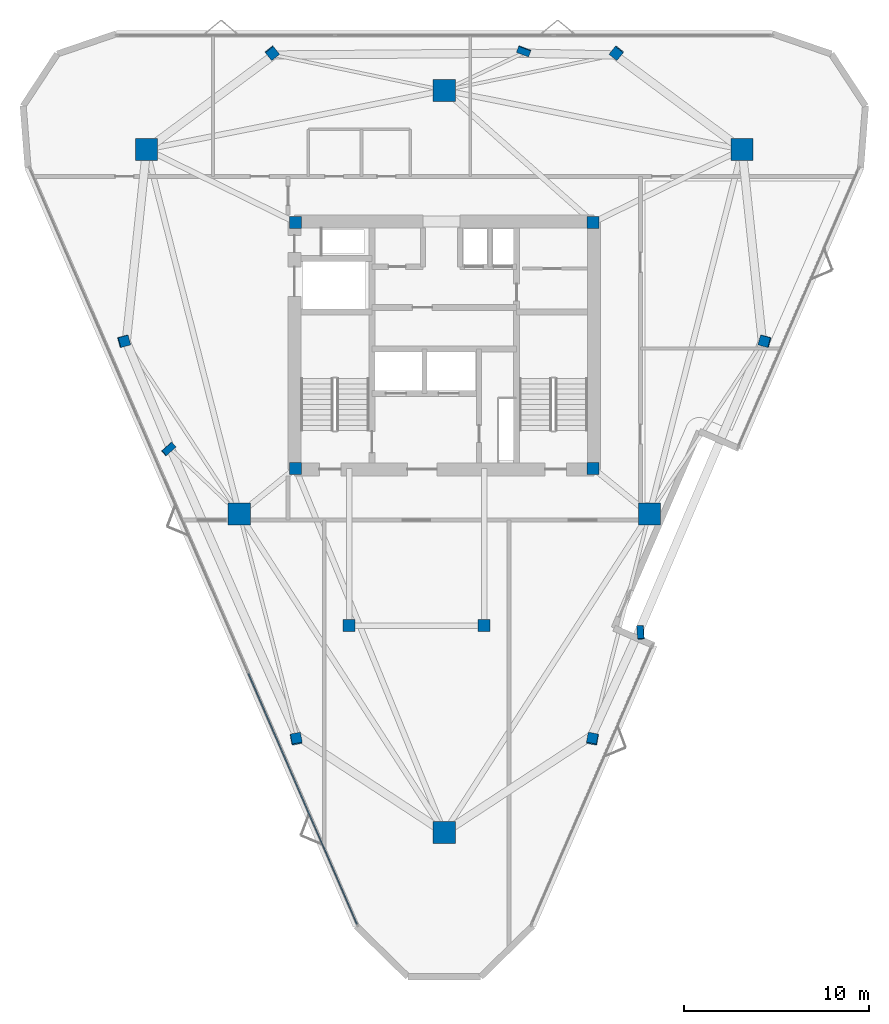
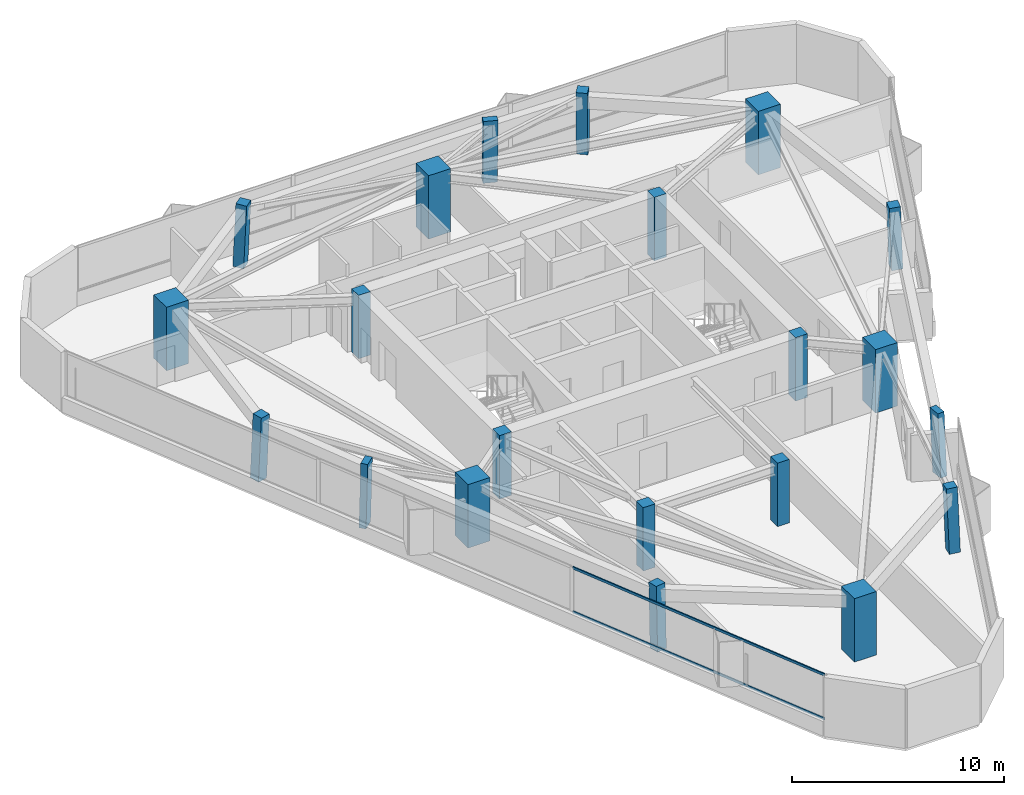
# One storey, part 1 of 10: 21 columns, 2 members, 1 element without a shape of its own.
"""IFC4 building model written with IfcOpenShell, lengths in metres."""

from ifc_helpers import new_model, si_unit, direction, frame, origin, origin_2d, place, context, subcontext, project, spatial, rectangle, extrude, material, layer, layer_set, material_profile, profile_set, type_object, element, aggregate, save


model = new_model("IFC4")

# Units and contexts
model_context = context("Model", 3, precision=1e-05, world=origin(), true_north=direction((0.0, 1.0)))
body_context = subcontext(model_context, "Body", "Model", "MODEL_VIEW")
ifc_project = project(units=[si_unit("LENGTHUNIT", "METRE"), si_unit("AREAUNIT", "SQUARE_METRE"), si_unit("VOLUMEUNIT", "CUBIC_METRE"), si_unit("PLANEANGLEUNIT", "RADIAN"), si_unit("MASSUNIT", "GRAM", prefix="KILO")], contexts=[model_context])

# Site, building, storey
site_placement = place(None, origin())
site = spatial("IfcSite", under=ifc_project, at=site_placement, CompositionType="ELEMENT")
building_placement = place(site_placement, origin())
building = spatial("IfcBuilding", under=site, at=building_placement, Name="Talyreon Biosciences Tower", CompositionType="ELEMENT")
storey_placement = place(building_placement, frame((0.0, 0.0, 257.14990234375)))
storey = spatial("IfcBuildingStorey", under=building, at=storey_placement, Name="L68", CompositionType="ELEMENT", Elevation=257.14990234375)

# Columns
ifc_material_1 = material(Name="Precast concrete C45/55", Category="concrete")
ifc_material_profile_1 = material_profile(ifc_material_1, rectangle(XDim=0.699951171875, YDim=0.35009765625, at=origin_2d()), Name="RC 700x350")
ifc_profile_set_1 = profile_set([ifc_material_profile_1], Name="Precast concrete C45/55")
column_type_1 = type_object("IfcColumnType", Name="FacadePilaster_700x350", PredefinedType="PILASTER", material=ifc_profile_set_1)
column_1_placement = place(storey_placement, frame((76.62060546875, 52.45361328125, 0.003173828125), z_axis=(-0.019545044433, 0.038353802945, 0.999073058909), x_axis=(0.062270648297, -0.997277230016, 0.039503073972)))
element("IfcColumn", 1, at=column_1_placement, inside=storey, type_object=column_type_1, Name="L68 Facade Pilaster PL-SE", PredefinedType="PILASTER", context=body_context, shape_type="SweptSolid", body=[
    extrude(rectangle(XDim=0.699951171875, YDim=0.35009765625, at=origin_2d()), origin(), (0.0, 0.0, 1.0), 3.6474609375),
])
column_2_placement = place(storey_placement, frame((70.302490234375, 83.923095703125, 0.003173828125), z_axis=(-0.012453524816, -0.033477217246, 0.99936188923), x_axis=(-0.937250343901, 0.348657127931, 0.0)))
element("IfcColumn", 2, at=column_2_placement, inside=storey, type_object=column_type_1, Name="L68 Facade Pilaster PL-N", PredefinedType="PILASTER", context=body_context, shape_type="SweptSolid", body=[
    extrude(rectangle(XDim=0.699951171875, YDim=0.35009765625, at=origin_2d()), origin(), (0.0, 0.0, 1.0), 3.646484375),
])
column_3_placement = place(storey_placement, frame((51.076904296875, 62.390625, 0.003173828125), z_axis=(0.032006454348, 0.010579539303, 0.999431668614), x_axis=(0.746119884152, 0.665092601521, -0.030934606436)))
element("IfcColumn", 3, at=column_3_placement, inside=storey, type_object=column_type_1, Name="L68 Facade Pilaster PL-SW", PredefinedType="PILASTER", context=body_context, shape_type="SweptSolid", body=[
    extrude(rectangle(XDim=0.699951171875, YDim=0.35009765625, at=origin_2d()), origin(), (0.0, 0.0, 1.0), 3.64599609375),
])
ifc_material_2 = material(Name="Concrete C50/60", Category="concrete")
ifc_material_profile_2 = material_profile(ifc_material_2, rectangle(XDim=1.199951171875, YDim=1.199951171875, at=origin_2d()), Name="RC 1200x1200")
ifc_profile_set_2 = profile_set([ifc_material_profile_2], Name="Concrete C50/60")
column_type_2 = type_object("IfcColumnType", Name="MegaColumn_1200", PredefinedType="COLUMN", material=ifc_profile_set_2)
for number, where, z_axis, x_axis, name in (
    (4, (66.0, 41.6669921875, 0.0), (0.0, 0.0, 1.0), (1.0, 0.0, 0.0), "L68 Composite Mega-Column MC1"),
    (5, (82.102294921875, 78.5986328125, 0.0), (0.0, 0.0, 1.0), (1.0, 0.0, 0.0), "L68 Composite Mega-Column MC2"),
    (6, (49.897705078125, 78.5986328125, 0.0), (0.0, 0.0, 1.0), (1.0, 0.0, 0.0), "L68 Composite Mega-Column MC3"),
    (7, (77.086181640625, 58.88037109375, 0.0), (0.0, 0.0, 1.0), (1.0, 0.0, 0.0), "L68 Composite Mega-Column MC4"),
    (8, (66.0, 81.788818359375, 0.0), (0.0, 0.0, 1.0), (1.0, 0.0, 0.0), "L68 Composite Mega-Column MC5"),
    (9, (54.913818359375, 58.88037109375, 0.0), (0.0, 0.0, 1.0), (1.0, 0.0, 0.0), "L68 Composite Mega-Column MC6"),
):
    element("IfcColumn", number, at=place(storey_placement, frame(where, z_axis=z_axis, x_axis=x_axis)), inside=storey, type_object=column_type_2, Name=name, PredefinedType="COLUMN", context=body_context, shape_type="SweptSolid", body=[
        extrude(rectangle(XDim=1.199951171875, YDim=1.199951171875, at=origin_2d()), origin(), (0.0, 0.0, 1.0), 3.650146484375),
    ])
ifc_material_profile_3 = material_profile(ifc_material_2, rectangle(XDim=0.550048828125, YDim=0.550048828125, at=origin_2d()), Name="RC 550x550")
ifc_profile_set_3 = profile_set([ifc_material_profile_3], Name="Concrete C50/60")
column_type_3 = type_object("IfcColumnType", Name="PerimeterColumn_550", PredefinedType="COLUMN", material=ifc_profile_set_3)
column_4_placement = place(storey_placement, frame((74.01904296875, 46.69677734375, 0.003173828125), z_axis=(-0.012308213911, 0.054517360531, 0.99843696109), x_axis=(-0.185790452072, -0.981249912222, 0.051288572644)))
element("IfcColumn", 10, at=column_4_placement, inside=storey, type_object=column_type_3, Name="L68 Tapering Perimeter Column PC-SE1", PredefinedType="COLUMN", context=body_context, shape_type="SweptSolid", body=[
    extrude(rectangle(XDim=0.550048828125, YDim=0.550048828125, at=origin_2d()), origin(), (0.0, 0.0, 1.0), 3.649658203125),
])
column_5_placement = place(storey_placement, frame((83.341064453125, 68.22705078125, 0.003173828125), z_axis=(-0.039229508262, -0.005623342481, 0.999214403269), x_axis=(0.964057519497, -0.263192826775, 0.036368049643)))
element("IfcColumn", 11, at=column_5_placement, inside=storey, type_object=column_type_3, Name="L68 Tapering Perimeter Column PC-SE2", PredefinedType="COLUMN", context=body_context, shape_type="SweptSolid", body=[
    extrude(rectangle(XDim=0.550048828125, YDim=0.550048828125, at=origin_2d()), origin(), (0.0, 0.0, 1.0), 3.64697265625),
])
for number, where, z_axis, x_axis, name in (
    (12, (75.322021484375, 83.8232421875, 0.003173828125), (-0.026841076243, -0.033534611465, 0.999077067328), (-0.780716755404, 0.624885067698, 0.0), "L68 Tapering Perimeter Column PC-N1"),
    (13, (56.677978515625, 83.8232421875, 0.003173828125), (0.026841076243, -0.033534611465, 0.999077067328), (-0.780716755404, -0.624885067698, 0.0), "L68 Tapering Perimeter Column PC-N2"),
):
    element("IfcColumn", number, at=place(storey_placement, frame(where, z_axis=z_axis, x_axis=x_axis)), inside=storey, type_object=column_type_3, Name=name, PredefinedType="COLUMN", context=body_context, shape_type="SweptSolid", body=[
        extrude(rectangle(XDim=0.550048828125, YDim=0.550048828125, at=origin_2d()), origin(), (0.0, 0.0, 1.0), 3.6474609375),
    ])
column_6_placement = place(storey_placement, frame((48.658935546875, 68.22705078125, 0.003173828125), z_axis=(0.039229508262, -0.005623342481, 0.999214403269), x_axis=(0.964057519497, 0.263192826775, -0.036368049643)))
element("IfcColumn", 14, at=column_6_placement, inside=storey, type_object=column_type_3, Name="L68 Tapering Perimeter Column PC-SW1", PredefinedType="COLUMN", context=body_context, shape_type="SweptSolid", body=[
    extrude(rectangle(XDim=0.550048828125, YDim=0.550048828125, at=origin_2d()), origin(), (0.0, 0.0, 1.0), 3.64697265625),
])
column_7_placement = place(storey_placement, frame((57.98095703125, 46.69677734375, 0.003173828125), z_axis=(0.012308213911, 0.054517360531, 0.99843696109), x_axis=(-0.185790452072, 0.981249912222, -0.051288572644)))
element("IfcColumn", 15, at=column_7_placement, inside=storey, type_object=column_type_3, Name="L68 Tapering Perimeter Column PC-SW2", PredefinedType="COLUMN", context=body_context, shape_type="SweptSolid", body=[
    extrude(rectangle(XDim=0.550048828125, YDim=0.550048828125, at=origin_2d()), origin(), (0.0, 0.0, 1.0), 3.649658203125),
])
ifc_material_profile_4 = material_profile(ifc_material_2, rectangle(XDim=0.64990234375, YDim=0.64990234375, at=origin_2d()), Name="RC 650x650")
ifc_profile_set_4 = profile_set([ifc_material_profile_4], Name="Concrete C50/60")
column_type_4 = type_object("IfcColumnType", Name="PerimeterColumn_650", PredefinedType="COLUMN", material=ifc_profile_set_4)
for number, where, z_axis, x_axis, name in (
    (16, (57.949951171875, 61.35009765625, 0.0), (0.0, 0.0, 1.0), (1.0, 0.0, 0.0), "L68 Core Column CC1"),
    (17, (74.050048828125, 61.35009765625, 0.0), (0.0, 0.0, 1.0), (1.0, 0.0, 0.0), "L68 Core Column CC2"),
    (18, (74.050048828125, 74.64990234375, 0.0), (0.0, 0.0, 1.0), (1.0, 0.0, 0.0), "L68 Core Column CC3"),
    (19, (57.949951171875, 74.64990234375, 0.0), (0.0, 0.0, 1.0), (1.0, 0.0, 0.0), "L68 Core Column CC4"),
    (20, (60.85009765625, 52.840087890625, 0.0), (0.0, 0.0, 1.0), (1.0, 0.0, 0.0), "L68 Core Column CSW"),
    (21, (68.14990234375, 52.840087890625, 0.0), (0.0, 0.0, 1.0), (1.0, 0.0, 0.0), "L68 Core Column CSE"),
):
    element("IfcColumn", number, at=place(storey_placement, frame(where, z_axis=z_axis, x_axis=x_axis)), inside=storey, type_object=column_type_4, Name=name, PredefinedType="COLUMN", context=body_context, shape_type="SweptSolid", body=[
        extrude(rectangle(XDim=0.64990234375, YDim=0.64990234375, at=origin_2d()), origin(), (0.0, 0.0, 1.0), 3.650146484375),
    ])

# Curtain wall, members
ifc_material_3 = material(Name="Thermally broken aluminium and low-E glazing", Category="aluminium")
ifc_layer = layer(ifc_material_3, 0.205078125)
ifc_layer_set = layer_set([ifc_layer], Name="Thermally broken aluminium and low-E glazing")
curtain_wall_type = type_object("IfcCurtainWallType", Name="CurtainWall_SkyGardenLoggia", PredefinedType="NOTDEFINED", material=ifc_layer_set)
curtain_wall_placement = place(storey_placement, origin())
curtain_wall = element("IfcCurtainWall", 22, at=curtain_wall_placement, inside=storey, type_object=curtain_wall_type, Name="L68 Unitised Curtain Wall FCW-L68-15", PredefinedType="NOTDEFINED")
ifc_material_4 = material(Name="Anodised thermally broken aluminium", Category="aluminium")
ifc_material_profile_5 = material_profile(ifc_material_4, rectangle(XDim=0.06494140625, YDim=0.139892578125, at=origin_2d()), Name="ALUM TRANSOM 65x140")
ifc_profile_set_5 = profile_set([ifc_material_profile_5], Name="Anodised thermally broken aluminium")
member_type = type_object("IfcMemberType", Name="CWTransom_65x140", PredefinedType="USERDEFINED", material=ifc_profile_set_5)
member_1_placement = place(storey_placement, frame((61.271484375, 36.703857421875, 0.842529296875), z_axis=(-0.39721968197, 0.917723555465, 0.0), x_axis=(-0.917723555465, -0.39721968197, 0.0)))
member_1 = element("IfcMember", 23, at=member_1_placement, type_object=member_type, Name="CW7 transom 1.1", ObjectType="TRANSOM", PredefinedType="USERDEFINED", context=body_context, shape_type="SweptSolid", body=[
    extrude(rectangle(XDim=0.06494140625, YDim=0.139892578125, at=origin_2d()), origin(), (0.0, 0.0, 1.0), 14.773193359375),
])
member_2_placement = place(storey_placement, frame((61.271484375, 36.703857421875, 3.36767578125), z_axis=(-0.39721968197, 0.917723555465, 0.0), x_axis=(-0.917723555465, -0.39721968197, 0.0)))
member_2 = element("IfcMember", 24, at=member_2_placement, type_object=member_type, Name="CW7 transom 1.2", ObjectType="TRANSOM", PredefinedType="USERDEFINED", context=body_context, shape_type="SweptSolid", body=[
    extrude(rectangle(XDim=0.06494140625, YDim=0.139892578125, at=origin_2d()), origin(), (0.0, 0.0, 1.0), 14.773193359375),
])
aggregate(curtain_wall, [member_1, member_2])

save(model, "model.ifc")
